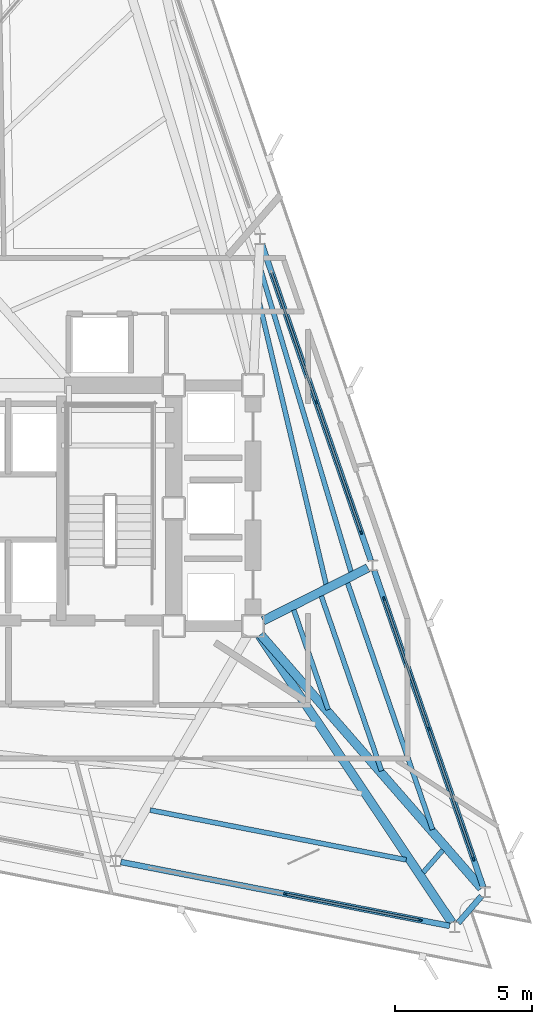
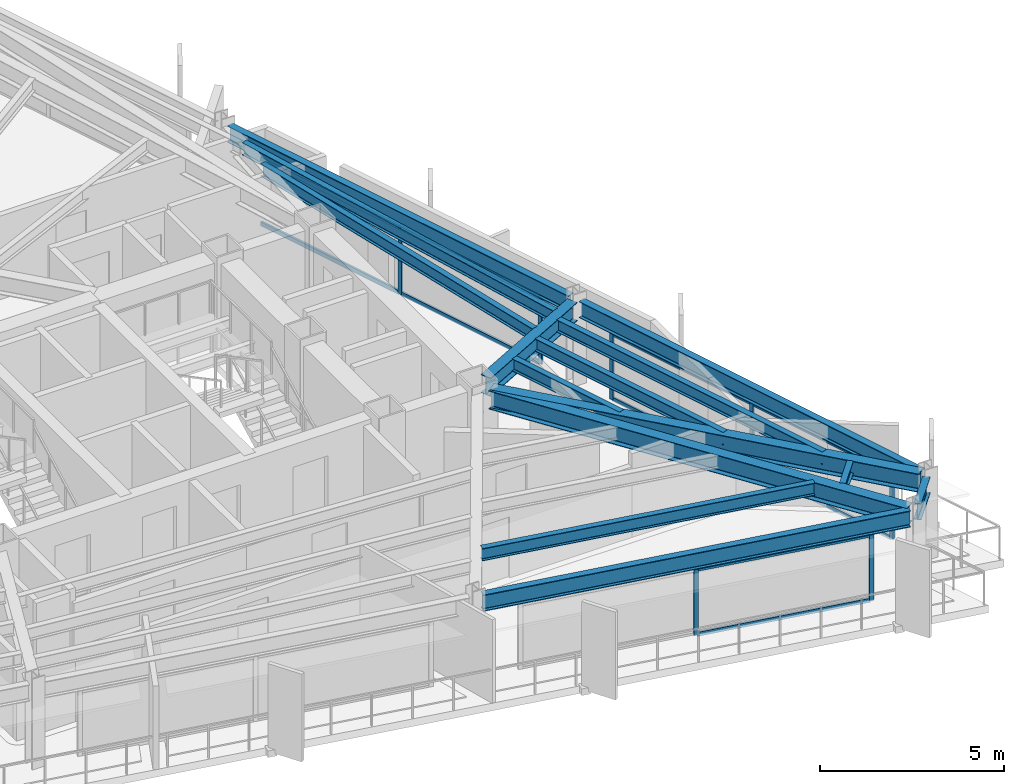
# One storey, part 6 of 13: 17 members, 14 beams, 3 elements without a shape of their own.
"""IFC4 building model written with IfcOpenShell, lengths in metres."""

from ifc_helpers import new_model, si_unit, direction, frame, origin, origin_2d, place, context, subcontext, project, spatial, rectangle, i_section, extrude, material, layer, layer_set, material_profile, profile_set, type_object, element, aggregate, save


model = new_model("IFC4")

# Units and contexts
model_context = context("Model", 3, precision=1e-05, world=origin(), true_north=direction((0.0, 1.0)))
body_context = subcontext(model_context, "Body", "Model", "MODEL_VIEW")
ifc_project = project(units=[si_unit("LENGTHUNIT", "METRE"), si_unit("AREAUNIT", "SQUARE_METRE"), si_unit("VOLUMEUNIT", "CUBIC_METRE"), si_unit("PLANEANGLEUNIT", "RADIAN"), si_unit("MASSUNIT", "GRAM", prefix="KILO")], contexts=[model_context])

# Site, building, storey
site_placement = place(None, origin())
site = spatial("IfcSite", under=ifc_project, at=site_placement, CompositionType="ELEMENT")
building_placement = place(site_placement, origin())
building = spatial("IfcBuilding", under=site, at=building_placement, Name="Rocaltana Carrier Exchange", CompositionType="ELEMENT")
storey_placement = place(building_placement, frame((0.0, 0.0, 156.320068359375)))
storey = spatial("IfcBuildingStorey", under=building, at=storey_placement, Name="L49", CompositionType="ELEMENT", Elevation=156.320068359375)

# Curtain wall, members
ifc_material_1 = material(Name="Aluminium 6063-T6", Category="aluminium")
ifc_layer = layer(ifc_material_1, 0.135009765625)
ifc_layer_set = layer_set([ifc_layer], Name="Aluminium 6063-T6")
curtain_wall_type = type_object("IfcCurtainWallType", Name="Upper-Mid Acoustic Curtain Wall CW-04", PredefinedType="NOTDEFINED", material=ifc_layer_set)
curtain_wall_1_placement = place(storey_placement, origin())
curtain_wall_1 = element("IfcCurtainWall", 1, at=curtain_wall_1_placement, inside=storey, type_object=curtain_wall_type, Name="L49 CW-04 Run CW-L49-F1S1", PredefinedType="NOTDEFINED")
ifc_material_2 = material(Name="Aluminium 6063-T6", Category="aluminium")
ifc_material_profile_1 = material_profile(ifc_material_2, rectangle(XDim=0.06494140625, YDim=0.135009765625, at=origin_2d()), Name="AL-65X135")
ifc_profile_set_1 = profile_set([ifc_material_profile_1], Name="Aluminium 6063-T6")
member_type_1 = type_object("IfcMemberType", Name="CW-04 Mullion AL-65X135", PredefinedType="MULLION", material=ifc_profile_set_1)
member_1_placement = place(storey_placement, frame((17.016357421875, -12.826171875, 0.0), z_axis=(0.0, 0.0, 1.0), x_axis=(-0.945521800517, -0.325558788464, 0.0)))
member_1 = element("IfcMember", 2, at=member_1_placement, type_object=member_type_1, Name="CW-04 mullion 1", PredefinedType="MULLION", context=body_context, shape_type="SweptSolid", body=[
    extrude(rectangle(XDim=0.06494140625, YDim=0.135009765625, at=origin_2d()), origin(), (0.0, 0.0, 1.0), 2.218017578125),
])
member_2_placement = place(storey_placement, frame((15.37744140625, -8.06640625, 0.0), z_axis=(0.0, 0.0, 1.0), x_axis=(-0.945521800517, -0.325558788464, 0.0)))
member_2 = element("IfcMember", 3, at=member_2_placement, type_object=member_type_1, Name="CW-04 mullion 2", PredefinedType="MULLION", context=body_context, shape_type="SweptSolid", body=[
    extrude(rectangle(XDim=0.06494140625, YDim=0.135009765625, at=origin_2d()), origin(), (0.0, 0.0, 1.0), 2.218017578125),
])
member_3_placement = place(storey_placement, frame((13.738525390625, -3.306396484375, 0.0), z_axis=(0.0, 0.0, 1.0), x_axis=(-0.945521800517, -0.325558788464, 0.0)))
member_3 = element("IfcMember", 4, at=member_3_placement, type_object=member_type_1, Name="CW-04 mullion 3", PredefinedType="MULLION", context=body_context, shape_type="SweptSolid", body=[
    extrude(rectangle(XDim=0.06494140625, YDim=0.135009765625, at=origin_2d()), origin(), (0.0, 0.0, 1.0), 2.218017578125),
])

curtain_wall_2_placement = place(storey_placement, origin())
curtain_wall_2 = element("IfcCurtainWall", 5, at=curtain_wall_2_placement, inside=storey, type_object=curtain_wall_type, Name="L49 CW-04 Run CW-L49-F1S2", PredefinedType="NOTDEFINED")
member_4_placement = place(storey_placement, frame((12.9033203125, -0.881103515625, 0.0), z_axis=(0.0, 0.0, 1.0), x_axis=(-0.945520754562, -0.32556182622, 0.0)))
member_4 = element("IfcMember", 6, at=member_4_placement, type_object=member_type_1, Name="CW-04 mullion 1", PredefinedType="MULLION", context=body_context, shape_type="SweptSolid", body=[
    extrude(rectangle(XDim=0.06494140625, YDim=0.135009765625, at=origin_2d()), origin(), (0.0, 0.0, 1.0), 2.218017578125),
])
member_5_placement = place(storey_placement, frame((11.264404296875, 3.878662109375, 0.0), z_axis=(0.0, 0.0, 1.0), x_axis=(-0.945520754562, -0.32556182622, 0.0)))
member_5 = element("IfcMember", 7, at=member_5_placement, type_object=member_type_1, Name="CW-04 mullion 2", PredefinedType="MULLION", context=body_context, shape_type="SweptSolid", body=[
    extrude(rectangle(XDim=0.06494140625, YDim=0.135009765625, at=origin_2d()), origin(), (0.0, 0.0, 1.0), 2.218017578125),
])

curtain_wall_3_placement = place(storey_placement, origin())
curtain_wall_3 = element("IfcCurtainWall", 8, at=curtain_wall_3_placement, inside=storey, type_object=curtain_wall_type, Name="L49 CW-04 Run CW-L49-F3S3", PredefinedType="NOTDEFINED")
member_6_placement = place(storey_placement, frame((10.1279296875, -14.105224609375, 0.0), z_axis=(0.0, 0.0, 1.0), x_axis=(0.190805209699, 0.981627919301, 0.0)))
member_6 = element("IfcMember", 9, at=member_6_placement, type_object=member_type_1, Name="CW-04 mullion 2", PredefinedType="MULLION", context=body_context, shape_type="SweptSolid", body=[
    extrude(rectangle(XDim=0.06494140625, YDim=0.135009765625, at=origin_2d()), origin(), (0.0, 0.0, 1.0), 2.218017578125),
])
member_7_placement = place(storey_placement, frame((15.069580078125, -15.06591796875, 0.0), z_axis=(0.0, 0.0, 1.0), x_axis=(0.190805209699, 0.981627919301, 0.0)))
member_7 = element("IfcMember", 10, at=member_7_placement, type_object=member_type_1, Name="CW-04 mullion 3", PredefinedType="MULLION", context=body_context, shape_type="SweptSolid", body=[
    extrude(rectangle(XDim=0.06494140625, YDim=0.135009765625, at=origin_2d()), origin(), (0.0, 0.0, 1.0), 2.218017578125),
])

# Member
ifc_material_3 = material(Name="Aluminium 6063-T6", Category="aluminium")
ifc_material_profile_2 = material_profile(ifc_material_3, rectangle(XDim=0.06494140625, YDim=0.135009765625, at=origin_2d()), Name="AL-65X135")
ifc_profile_set_2 = profile_set([ifc_material_profile_2], Name="Aluminium 6063-T6")
member_type_2 = type_object("IfcMemberType", Name="CW-04 Transom AL-65X135", PredefinedType="USERDEFINED", material=ifc_profile_set_2)
member_8_placement = place(storey_placement, frame((17.005859375, -12.795654296875, 0.032470703125), z_axis=(-0.325542462737, 0.945527421578, 0.0), x_axis=(-0.945527421578, -0.325542462737, 0.0)))
member_8 = element("IfcMember", 11, at=member_8_placement, type_object=member_type_2, Name="CW-04 transom 1.1", ObjectType="TRANSOM", PredefinedType="USERDEFINED", context=body_context, shape_type="SweptSolid", body=[
    extrude(rectangle(XDim=0.06494140625, YDim=0.135009765625, at=origin_2d()), origin(), (0.0, 0.0, 1.0), 4.96923828125),
])

member_9_placement = place(storey_placement, frame((17.005859375, -12.795654296875, 2.185546875), z_axis=(-0.325542462737, 0.945527421578, 0.0), x_axis=(-0.945527421578, -0.325542462737, 0.0)))
member_9 = element("IfcMember", 12, at=member_9_placement, type_object=member_type_2, Name="CW-04 transom 1.2", ObjectType="TRANSOM", PredefinedType="USERDEFINED", context=body_context, shape_type="SweptSolid", body=[
    extrude(rectangle(XDim=0.06494140625, YDim=0.135009765625, at=origin_2d()), origin(), (0.0, 0.0, 1.0), 4.96923828125),
])

member_10_placement = place(storey_placement, frame((15.366943359375, -8.03564453125, 0.032470703125), z_axis=(-0.325542462737, 0.945527421578, 0.0), x_axis=(-0.945527421578, -0.325542462737, 0.0)))
member_10 = element("IfcMember", 13, at=member_10_placement, type_object=member_type_2, Name="CW-04 transom 2.1", ObjectType="TRANSOM", PredefinedType="USERDEFINED", context=body_context, shape_type="SweptSolid", body=[
    extrude(rectangle(XDim=0.06494140625, YDim=0.135009765625, at=origin_2d()), origin(), (0.0, 0.0, 1.0), 4.96923828125),
])

member_11_placement = place(storey_placement, frame((15.366943359375, -8.03564453125, 2.185546875), z_axis=(-0.325542462737, 0.945527421578, 0.0), x_axis=(-0.945527421578, -0.325542462737, 0.0)))
member_11 = element("IfcMember", 14, at=member_11_placement, type_object=member_type_2, Name="CW-04 transom 2.2", ObjectType="TRANSOM", PredefinedType="USERDEFINED", context=body_context, shape_type="SweptSolid", body=[
    extrude(rectangle(XDim=0.06494140625, YDim=0.135009765625, at=origin_2d()), origin(), (0.0, 0.0, 1.0), 4.96923828125),
])

aggregate(curtain_wall_1, [member_1, member_2, member_3, member_8, member_9, member_10, member_11])

member_12_placement = place(storey_placement, frame((12.892822265625, -0.850341796875, 0.032470703125), z_axis=(-0.325557586399, 0.945522214407, 0.0), x_axis=(-0.945522214407, -0.325557586399, 0.0)))
member_12 = element("IfcMember", 15, at=member_12_placement, type_object=member_type_2, Name="CW-04 transom 1.1", ObjectType="TRANSOM", PredefinedType="USERDEFINED", context=body_context, shape_type="SweptSolid", body=[
    extrude(rectangle(XDim=0.06494140625, YDim=0.135009765625, at=origin_2d()), origin(), (0.0, 0.0, 1.0), 4.968994140625),
])

member_13_placement = place(storey_placement, frame((12.892822265625, -0.850341796875, 2.185546875), z_axis=(-0.325557586399, 0.945522214407, 0.0), x_axis=(-0.945522214407, -0.325557586399, 0.0)))
member_13 = element("IfcMember", 16, at=member_13_placement, type_object=member_type_2, Name="CW-04 transom 1.2", ObjectType="TRANSOM", PredefinedType="USERDEFINED", context=body_context, shape_type="SweptSolid", body=[
    extrude(rectangle(XDim=0.06494140625, YDim=0.135009765625, at=origin_2d()), origin(), (0.0, 0.0, 1.0), 4.968994140625),
])

member_14_placement = place(storey_placement, frame((11.25390625, 3.909423828125, 0.032470703125), z_axis=(-0.325542462737, 0.945527421578, 0.0), x_axis=(-0.945527421578, -0.325542462737, 0.0)))
member_14 = element("IfcMember", 17, at=member_14_placement, type_object=member_type_2, Name="CW-04 transom 2.1", ObjectType="TRANSOM", PredefinedType="USERDEFINED", context=body_context, shape_type="SweptSolid", body=[
    extrude(rectangle(XDim=0.06494140625, YDim=0.135009765625, at=origin_2d()), origin(), (0.0, 0.0, 1.0), 4.96923828125),
])

member_15_placement = place(storey_placement, frame((11.25390625, 3.909423828125, 2.185546875), z_axis=(-0.325542462737, 0.945527421578, 0.0), x_axis=(-0.945527421578, -0.325542462737, 0.0)))
member_15 = element("IfcMember", 18, at=member_15_placement, type_object=member_type_2, Name="CW-04 transom 2.2", ObjectType="TRANSOM", PredefinedType="USERDEFINED", context=body_context, shape_type="SweptSolid", body=[
    extrude(rectangle(XDim=0.06494140625, YDim=0.135009765625, at=origin_2d()), origin(), (0.0, 0.0, 1.0), 4.96923828125),
])

aggregate(curtain_wall_2, [member_4, member_5, member_12, member_13, member_14, member_15])

member_16_placement = place(storey_placement, frame((10.159912109375, -14.111572265625, 0.032470703125), z_axis=(0.981633795462, -0.190774976365, 0.0), x_axis=(0.190774976365, 0.981633795462, 0.0)))
member_16 = element("IfcMember", 19, at=member_16_placement, type_object=member_type_2, Name="CW-04 transom 2.1", ObjectType="TRANSOM", PredefinedType="USERDEFINED", context=body_context, shape_type="SweptSolid", body=[
    extrude(rectangle(XDim=0.06494140625, YDim=0.135009765625, at=origin_2d()), origin(), (0.0, 0.0, 1.0), 4.96923828125),
])

member_17_placement = place(storey_placement, frame((10.159912109375, -14.111572265625, 2.185546875), z_axis=(0.981633795462, -0.190774976365, 0.0), x_axis=(0.190774976365, 0.981633795462, 0.0)))
member_17 = element("IfcMember", 20, at=member_17_placement, type_object=member_type_2, Name="CW-04 transom 2.2", ObjectType="TRANSOM", PredefinedType="USERDEFINED", context=body_context, shape_type="SweptSolid", body=[
    extrude(rectangle(XDim=0.06494140625, YDim=0.135009765625, at=origin_2d()), origin(), (0.0, 0.0, 1.0), 4.96923828125),
])

aggregate(curtain_wall_3, [member_6, member_7, member_16, member_17])

# Beams
ifc_material_4 = material(Name="Steel S355", Category="steel")
ifc_material_profile_3 = material_profile(ifc_material_4, i_section(OverallWidth=0.179931640625, OverallDepth=0.4130859375, WebThickness=0.009765625, FlangeThickness=0.01611328125, FilletRadius=0.012939453125, at=origin_2d()), Name="W16X50")
ifc_profile_set_3 = profile_set([ifc_material_profile_3], Name="Steel S355")
beam_type_1 = type_object("IfcBeamType", Name="Floor Joist W16X50", PredefinedType="JOIST", material=ifc_profile_set_3)
beam_1_placement = place(storey_placement, frame((11.698974609375, -7.3662109375, 2.58154296875), z_axis=(-0.325612206056, 0.94550340627, 0.0), x_axis=(-0.94550340627, -0.325612206056, 0.0)))
element("IfcBeam", 21, at=beam_1_placement, inside=storey, type_object=beam_type_1, Name="FJ-L49-01-1", PredefinedType="JOIST", context=body_context, shape_type="SweptSolid", body=[
    extrude(i_section(OverallWidth=0.179931640625, OverallDepth=0.4130859375, WebThickness=0.009765625, FlangeThickness=0.01611328125, FilletRadius=0.012939453125, at=origin_2d()), origin(), (0.0, 0.0, 1.0), 3.85693359375),
])
beam_2_placement = place(storey_placement, frame((13.650390625, -9.606201171875, 2.58154296875), z_axis=(-0.325591245861, 0.945510624276, 0.0), x_axis=(-0.945510624276, -0.325591245861, 0.0)))
element("IfcBeam", 22, at=beam_2_placement, inside=storey, type_object=beam_type_1, Name="FJ-L49-01-2", PredefinedType="JOIST", context=body_context, shape_type="SweptSolid", body=[
    extrude(i_section(OverallWidth=0.179931640625, OverallDepth=0.4130859375, WebThickness=0.009765625, FlangeThickness=0.01611328125, FilletRadius=0.012939453125, at=origin_2d()), origin(), (0.0, 0.0, 1.0), 6.7626953125),
])
beam_3_placement = place(storey_placement, frame((15.5166015625, -11.748779296875, 2.58154296875), z_axis=(-0.325561689651, 0.945520801586, 0.0), x_axis=(-0.945520801586, -0.325561689651, 0.0)))
element("IfcBeam", 23, at=beam_3_placement, inside=storey, type_object=beam_type_1, Name="FJ-L49-01-3", PredefinedType="JOIST", context=body_context, shape_type="SweptSolid", body=[
    extrude(i_section(OverallWidth=0.179931640625, OverallDepth=0.4130859375, WebThickness=0.009765625, FlangeThickness=0.01611328125, FilletRadius=0.012939453125, at=origin_2d()), origin(), (0.0, 0.0, 1.0), 9.541748046875),
])
beam_4_placement = place(storey_placement, frame((11.6240234375, -2.780517578125, 2.58154296875), z_axis=(-0.230805777183, 0.972999842353, 0.0), x_axis=(-0.972999842353, -0.230805777183, 0.0)))
element("IfcBeam", 24, at=beam_4_placement, inside=storey, type_object=beam_type_1, Name="FJ-L49-02-2", PredefinedType="JOIST", context=body_context, shape_type="SweptSolid", body=[
    extrude(i_section(OverallWidth=0.179931640625, OverallDepth=0.4130859375, WebThickness=0.009765625, FlangeThickness=0.01611328125, FilletRadius=0.012939453125, at=origin_2d()), origin(), (0.0, 0.0, 1.0), 10.736328125),
])
beam_5_placement = place(storey_placement, frame((12.533203125, -2.3193359375, 2.58154296875), z_axis=(-0.286621662233, 0.9580438522, 0.0), x_axis=(-0.9580438522, -0.286621662233, 0.0)))
element("IfcBeam", 25, at=beam_5_placement, inside=storey, type_object=beam_type_1, Name="FJ-L49-02-3", PredefinedType="JOIST", context=body_context, shape_type="SweptSolid", body=[
    extrude(i_section(OverallWidth=0.179931640625, OverallDepth=0.4130859375, WebThickness=0.009765625, FlangeThickness=0.01611328125, FilletRadius=0.012939453125, at=origin_2d()), origin(), (0.0, 0.0, 1.0), 11.597900390625),
])
beam_6_placement = place(storey_placement, frame((5.185546875, -11.037841796875, 2.58154296875), z_axis=(0.981630034489, -0.190794327456, 0.0), x_axis=(0.190794327456, 0.981630034489, 0.0)))
element("IfcBeam", 26, at=beam_6_placement, inside=storey, type_object=beam_type_1, Name="FJ-L49-11-3", PredefinedType="JOIST", context=body_context, shape_type="SweptSolid", body=[
    extrude(i_section(OverallWidth=0.179931640625, OverallDepth=0.4130859375, WebThickness=0.009765625, FlangeThickness=0.01611328125, FilletRadius=0.012939453125, at=origin_2d()), origin(), (0.0, 0.0, 1.0), 9.5419921875),
])
beam_7_placement = place(storey_placement, frame((15.176513671875, -13.321044921875, 2.58154296875), z_axis=(0.65606745581, 0.754702254817, 0.0), x_axis=(-0.754702254817, 0.65606745581, 0.0)))
element("IfcBeam", 27, at=beam_7_placement, inside=storey, type_object=beam_type_1, Name="FJ-L49-12-3", PredefinedType="JOIST", context=body_context, shape_type="SweptSolid", body=[
    extrude(i_section(OverallWidth=0.179931640625, OverallDepth=0.4130859375, WebThickness=0.009765625, FlangeThickness=0.01611328125, FilletRadius=0.012939453125, at=origin_2d()), origin(), (0.0, 0.0, 1.0), 1.086669921875),
])
ifc_material_5 = material(Name="Steel S355", Category="steel")
ifc_material_profile_4 = material_profile(ifc_material_5, i_section(OverallWidth=0.323974609375, OverallDepth=0.611083984375, WebThickness=0.0126953125, FlangeThickness=0.01904296875, FilletRadius=0.01611328125, at=origin_2d()), Name="W24X104")
ifc_profile_set_4 = profile_set([ifc_material_profile_4], Name="Steel S355")
beam_type_2 = type_object("IfcBeamType", Name="Radial Girder W24X104", PredefinedType="BEAM", material=ifc_profile_set_4)
beam_8_placement = place(storey_placement, frame((9.223876953125, -4.614501953125, 2.482421875), z_axis=(0.656855698811, -0.754016306813, 0.0), x_axis=(0.754016306813, 0.656855698811, 0.0)))
element("IfcBeam", 28, at=beam_8_placement, inside=storey, type_object=beam_type_2, Name="RG-L49-01", PredefinedType="BEAM", context=body_context, shape_type="SweptSolid", body=[
    extrude(i_section(OverallWidth=0.323974609375, OverallDepth=0.611083984375, WebThickness=0.0126953125, FlangeThickness=0.01904296875, FilletRadius=0.01611328125, at=origin_2d()), origin(), (0.0, 0.0, 1.0), 12.307373046875),
])
beam_9_placement = place(storey_placement, frame((9.322265625, -4.112060546875, 2.482421875), z_axis=(0.892735357943, 0.45058138075, 0.0), x_axis=(-0.45058138075, 0.892735357943, 0.0)))
element("IfcBeam", 29, at=beam_9_placement, inside=storey, type_object=beam_type_2, Name="RG-L49-02", PredefinedType="BEAM", context=body_context, shape_type="SweptSolid", body=[
    extrude(i_section(OverallWidth=0.323974609375, OverallDepth=0.611083984375, WebThickness=0.0126953125, FlangeThickness=0.01904296875, FilletRadius=0.01611328125, at=origin_2d()), origin(), (0.0, 0.0, 1.0), 4.28759765625),
])
beam_10_placement = place(storey_placement, frame((9.18212890625, -4.646484375, 2.482421875), z_axis=(0.556699029472, -0.830714265307, 0.0), x_axis=(0.830714265307, 0.556699029472, 0.0)))
element("IfcBeam", 30, at=beam_10_placement, inside=storey, type_object=beam_type_2, Name="RG-L49-12", PredefinedType="BEAM", context=body_context, shape_type="SweptSolid", body=[
    extrude(i_section(OverallWidth=0.323974609375, OverallDepth=0.611083984375, WebThickness=0.0126953125, FlangeThickness=0.01904296875, FilletRadius=0.01611328125, at=origin_2d()), origin(), (0.0, 0.0, 1.0), 12.6455078125),
])
ifc_material_6 = material(Name="Steel S355", Category="steel")
ifc_material_profile_5 = material_profile(ifc_material_6, i_section(OverallWidth=0.2119140625, OverallDepth=0.5439453125, WebThickness=0.01318359375, FlangeThickness=0.021240234375, FilletRadius=0.014892578125, at=origin_2d()), Name="W21X83")
ifc_profile_set_5 = profile_set([ifc_material_profile_5], Name="Steel S355")
beam_type_3 = type_object("IfcBeamType", Name="Spandrel Edge Beam W21X83", PredefinedType="SPANDREL", material=ifc_profile_set_5)
beam_11_placement = place(storey_placement, frame((17.37158203125, -13.85791015625, 2.515869140625), z_axis=(-0.325563178489, 0.945520288948, 0.0), x_axis=(-0.945520288948, -0.325563178489, 0.0)))
element("IfcBeam", 31, at=beam_11_placement, inside=storey, type_object=beam_type_3, Name="SP-L49-01", PredefinedType="SPANDREL", context=body_context, shape_type="SweptSolid", body=[
    extrude(i_section(OverallWidth=0.2119140625, OverallDepth=0.5439453125, WebThickness=0.01318359375, FlangeThickness=0.021240234375, FilletRadius=0.014892578125, at=origin_2d()), origin(), (0.0, 0.0, 1.0), 12.25048828125),
])
for number, where, z_axis, x_axis, name in (
    (32, (13.2587890625, -1.91259765625, 2.515869140625), (-0.325587130278, 0.945512041487, 0.0), (-0.945512041487, -0.325587130278, 0.0), "SP-L49-02"),
    (33, (4.115478515625, -12.9365234375, 2.515869140625), (0.981627937951, -0.190805113754, 0.0), (0.190805113754, 0.981627937951, 0.0), "SP-L49-11"),
):
    element("IfcBeam", number, at=place(storey_placement, frame(where, z_axis=z_axis, x_axis=x_axis)), inside=storey, type_object=beam_type_3, Name=name, PredefinedType="SPANDREL", context=body_context, shape_type="SweptSolid", body=[
        extrude(i_section(OverallWidth=0.2119140625, OverallDepth=0.5439453125, WebThickness=0.01318359375, FlangeThickness=0.021240234375, FilletRadius=0.014892578125, at=origin_2d()), origin(), (0.0, 0.0, 1.0), 12.250244140625),
    ])
beam_12_placement = place(storey_placement, frame((16.4541015625, -15.166015625, 2.515869140625), z_axis=(0.65607193879, 0.754698357711, 0.0), x_axis=(-0.754698357711, 0.65607193879, 0.0)))
element("IfcBeam", 34, at=beam_12_placement, inside=storey, type_object=beam_type_3, Name="SP-L49-12", PredefinedType="SPANDREL", context=body_context, shape_type="SweptSolid", body=[
    extrude(i_section(OverallWidth=0.2119140625, OverallDepth=0.5439453125, WebThickness=0.01318359375, FlangeThickness=0.021240234375, FilletRadius=0.014892578125, at=origin_2d()), origin(), (0.0, 0.0, 1.0), 1.302001953125),
])

save(model, "model.ifc")
